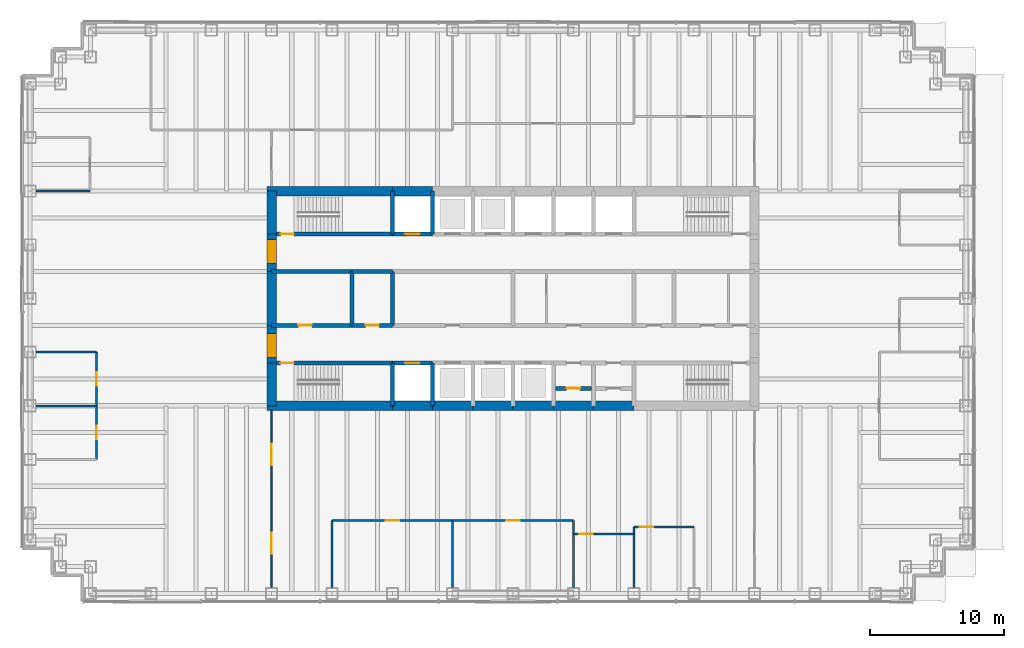
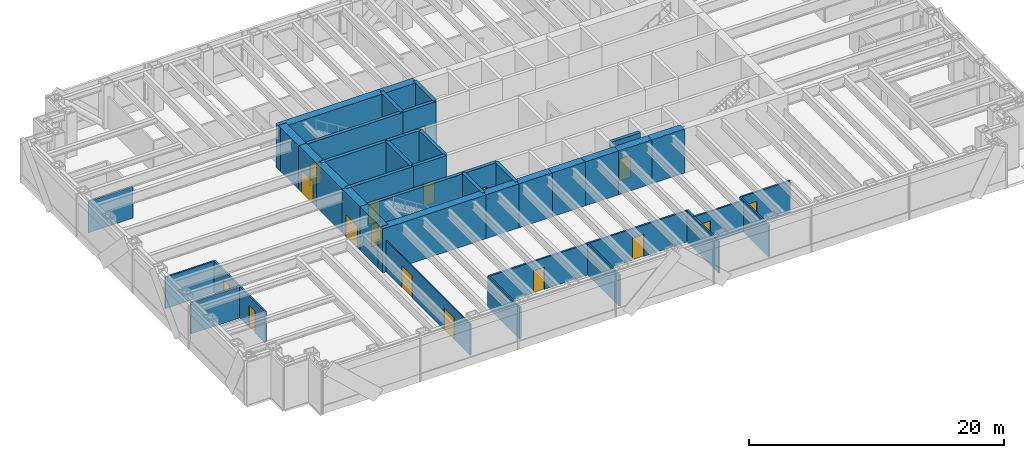
# One storey, part 7 of 12: 41 walls, 17 doors, 17 openings.
"""IFC4 building model written with IfcOpenShell, lengths in metres."""

from ifc_helpers import new_model, si_unit, direction, frame, frame_2d, origin, place, context, subcontext, project, spatial, rectangle, extrude, material, layer, layer_set, type_object, element, fill, save


model = new_model("IFC4")

# Units and contexts
model_context = context("Model", 3, precision=1e-05, world=origin(), true_north=direction((0.0, 1.0)))
body_context = subcontext(model_context, "Body", "Model", "MODEL_VIEW")
ifc_project = project(units=[si_unit("LENGTHUNIT", "METRE"), si_unit("AREAUNIT", "SQUARE_METRE"), si_unit("VOLUMEUNIT", "CUBIC_METRE"), si_unit("PLANEANGLEUNIT", "RADIAN"), si_unit("MASSUNIT", "GRAM", prefix="KILO")], contexts=[model_context])

# Site, building, storey
site_placement = place(None, origin())
site = spatial("IfcSite", under=ifc_project, at=site_placement, CompositionType="ELEMENT")
building_placement = place(site_placement, origin())
building = spatial("IfcBuilding", under=site, at=building_placement, Name="Rheinbord Bourse Tower", CompositionType="ELEMENT")
storey_placement = place(building_placement, frame((0.0, 0.0, 271.10009765625)))
storey = spatial("IfcBuildingStorey", under=building, at=storey_placement, Name="L61", CompositionType="ELEMENT", Elevation=271.10009765625)

# Wall, opening, door
ifc_material_1 = material(Name="Concrete C50/60", Category="concrete")
ifc_layer_1 = layer(ifc_material_1, 0.300048828125)
ifc_layer_set_1 = layer_set([ifc_layer_1], Name="CORE INNER WALL 300")
wall_type_1 = type_object("IfcWallType", Name="CORE INNER WALL 300", PredefinedType="SOLIDWALL", material=ifc_layer_set_1)
wall_1_placement = place(storey_placement, frame((18.0, 19.199951171875, 0.0), z_axis=(0.0, 0.0, 1.0), x_axis=(1.0, 0.0, 0.0)))
wall_1 = element("IfcWall", 1, at=wall_1_placement, inside=storey, type_object=wall_type_1, Name="Core wall A1 L61", PredefinedType="SOLIDWALL", context=body_context, shape_type="SweptSolid", body=[
    extrude(rectangle(XDim=9.0, YDim=0.300048828125, at=frame_2d((4.5, 0.0))), origin(), (0.0, 0.0, 1.0), 4.199951171875),
])
opening_1_placement = place(wall_1_placement, frame((0.64990234375, 0.0, 0.0)))
opening_1 = element("IfcOpeningElement", 2, at=opening_1_placement, cuts=wall_1, Name="Opening 6110", PredefinedType="OPENING", context=body_context, shape_type="SweptSolid", body=[
    extrude(rectangle(XDim=1.0, YDim=2.10009765625, at=frame_2d((0.5, 1.050048828125))), frame((0.0, 0.159912109375, 0.0), z_axis=(0.0, -1.0, 0.0), x_axis=(1.0, 0.0, 0.0)), (0.0, 0.0, 1.0), 0.320068359375),
])
ifc_material_2 = material(Name="Steel door", Category="steel")
door_type_1 = type_object("IfcDoorType", Name="DOOR 1000 EI30", OperationType="SINGLE_SWING_LEFT", PredefinedType="DOOR", material=ifc_material_2)
door_1_placement = place(opening_1_placement, origin())
door_1 = element("IfcDoor", 3, at=door_1_placement, inside=storey, type_object=door_type_1, Name="Stair door ST1 L61", OperationType="SINGLE_SWING_LEFT", OverallHeight=2.10009765625, OverallWidth=1.0, PredefinedType="DOOR", context=body_context, shape_type="SweptSolid", body=[
    extrude(rectangle(XDim=1.0, YDim=2.10009765625, at=frame_2d((0.5, 1.050048828125))), frame((0.0, 0.02490234375, 0.0), z_axis=(0.0, -1.0, 0.0), x_axis=(1.0, 0.0, 0.0)), (0.0, 0.0, 1.0), 0.050048828125),
])
fill(opening_1, door_1)

wall_2_placement = place(storey_placement, frame((27.0, 19.199951171875, 0.0), z_axis=(0.0, 0.0, 1.0), x_axis=(1.0, 0.0, 0.0)))
wall_2 = element("IfcWall", 4, at=wall_2_placement, inside=storey, type_object=wall_type_1, Name="Core wall A2 L61", PredefinedType="SOLIDWALL", context=body_context, shape_type="SweptSolid", body=[
    extrude(rectangle(XDim=3.0, YDim=0.300048828125, at=frame_2d((1.5, 0.0))), origin(), (0.0, 0.0, 1.0), 4.199951171875),
])
opening_2_placement = place(wall_2_placement, frame((0.949951171875, 0.0, 0.0)))
opening_2 = element("IfcOpeningElement", 5, at=opening_2_placement, cuts=wall_2, Name="Opening FL1", PredefinedType="OPENING", context=body_context, shape_type="SweptSolid", body=[
    extrude(rectangle(XDim=1.10009765625, YDim=2.199951171875, at=frame_2d((0.550048828125, 1.10009765625))), frame((0.0, 0.159912109375, 0.0), z_axis=(0.0, -1.0, 0.0), x_axis=(1.0, 0.0, 0.0)), (0.0, 0.0, 1.0), 0.320068359375),
])
ifc_material_3 = material(Name="Steel landing door", Category="steel")
door_type_2 = type_object("IfcDoorType", Name="LIFT LANDING DOOR 1100", OperationType="DOUBLE_DOOR_SLIDING", PredefinedType="USERDEFINED", material=ifc_material_3)
door_2_placement = place(opening_2_placement, origin())
door_2 = element("IfcDoor", 6, at=door_2_placement, inside=storey, type_object=door_type_2, Name="Lift landing door FL1 L61", ObjectType="LIFT LANDING DOOR", OperationType="DOUBLE_DOOR_SLIDING", OverallHeight=2.199951171875, OverallWidth=1.10009765625, PredefinedType="USERDEFINED", context=body_context, shape_type="SweptSolid", body=[
    extrude(rectangle(XDim=1.10009765625, YDim=2.199951171875, at=frame_2d((0.550048828125, 1.10009765625))), frame((0.0, 0.02490234375, 0.0), z_axis=(0.0, -1.0, 0.0), x_axis=(1.0, 0.0, 0.0)), (0.0, 0.0, 1.0), 0.050048828125),
])
fill(opening_2, door_2)

wall_3_placement = place(storey_placement, frame((18.0, 28.800048828125, 0.0), z_axis=(0.0, 0.0, 1.0), x_axis=(1.0, 0.0, 0.0)))
wall_3 = element("IfcWall", 7, at=wall_3_placement, inside=storey, type_object=wall_type_1, Name="Core wall B1 L61", PredefinedType="SOLIDWALL", context=body_context, shape_type="SweptSolid", body=[
    extrude(rectangle(XDim=9.0, YDim=0.300048828125, at=frame_2d((4.5, 0.0))), origin(), (0.0, 0.0, 1.0), 4.199951171875),
])
opening_3_placement = place(wall_3_placement, frame((0.64990234375, 0.0, 0.0)))
opening_3 = element("IfcOpeningElement", 8, at=opening_3_placement, cuts=wall_3, Name="Opening 6120", PredefinedType="OPENING", context=body_context, shape_type="SweptSolid", body=[
    extrude(rectangle(XDim=1.0, YDim=2.10009765625, at=frame_2d((0.5, 1.050048828125))), frame((0.0, 0.159912109375, 0.0), z_axis=(0.0, -1.0, 0.0), x_axis=(1.0, 0.0, 0.0)), (0.0, 0.0, 1.0), 0.320068359375),
])
door_3_placement = place(opening_3_placement, origin())
door_3 = element("IfcDoor", 9, at=door_3_placement, inside=storey, type_object=door_type_1, Name="Stair door ST2 L61", OperationType="SINGLE_SWING_LEFT", OverallHeight=2.10009765625, OverallWidth=1.0, PredefinedType="DOOR", context=body_context, shape_type="SweptSolid", body=[
    extrude(rectangle(XDim=1.0, YDim=2.10009765625, at=frame_2d((0.5, 1.050048828125))), frame((0.0, 0.02490234375, 0.0), z_axis=(0.0, -1.0, 0.0), x_axis=(1.0, 0.0, 0.0)), (0.0, 0.0, 1.0), 0.050048828125),
])
fill(opening_3, door_3)

wall_4_placement = place(storey_placement, frame((27.0, 28.800048828125, 0.0), z_axis=(0.0, 0.0, 1.0), x_axis=(1.0, 0.0, 0.0)))
wall_4 = element("IfcWall", 10, at=wall_4_placement, inside=storey, type_object=wall_type_1, Name="Core wall B2 L61", PredefinedType="SOLIDWALL", context=body_context, shape_type="SweptSolid", body=[
    extrude(rectangle(XDim=3.0, YDim=0.300048828125, at=frame_2d((1.5, 0.0))), origin(), (0.0, 0.0, 1.0), 4.199951171875),
])
opening_4_placement = place(wall_4_placement, frame((0.949951171875, 0.0, 0.0)))
opening_4 = element("IfcOpeningElement", 11, at=opening_4_placement, cuts=wall_4, Name="Opening GL1", PredefinedType="OPENING", context=body_context, shape_type="SweptSolid", body=[
    extrude(rectangle(XDim=1.10009765625, YDim=2.199951171875, at=frame_2d((0.550048828125, 1.10009765625))), frame((0.0, 0.159912109375, 0.0), z_axis=(0.0, -1.0, 0.0), x_axis=(1.0, 0.0, 0.0)), (0.0, 0.0, 1.0), 0.320068359375),
])
door_4_placement = place(opening_4_placement, origin())
door_4 = element("IfcDoor", 12, at=door_4_placement, inside=storey, type_object=door_type_2, Name="Lift landing door GL1 L61", ObjectType="LIFT LANDING DOOR", OperationType="DOUBLE_DOOR_SLIDING", OverallHeight=2.199951171875, OverallWidth=1.10009765625, PredefinedType="USERDEFINED", context=body_context, shape_type="SweptSolid", body=[
    extrude(rectangle(XDim=1.10009765625, YDim=2.199951171875, at=frame_2d((0.550048828125, 1.10009765625))), frame((0.0, 0.02490234375, 0.0), z_axis=(0.0, -1.0, 0.0), x_axis=(1.0, 0.0, 0.0)), (0.0, 0.0, 1.0), 0.050048828125),
])
fill(opening_4, door_4)

wall_5_placement = place(storey_placement, frame((18.0, 22.0, 0.0), z_axis=(0.0, 0.0, 1.0), x_axis=(1.0, 0.0, 0.0)))
wall_5 = element("IfcWall", 13, at=wall_5_placement, inside=storey, type_object=wall_type_1, Name="Core wall C1 L61", PredefinedType="SOLIDWALL", context=body_context, shape_type="SweptSolid", body=[
    extrude(rectangle(XDim=6.0, YDim=0.300048828125, at=frame_2d((3.0, 0.0))), origin(), (0.0, 0.0, 1.0), 4.199951171875),
])
opening_5_placement = place(wall_5_placement, frame((2.0, 0.0, 0.0)))
opening_5 = element("IfcOpeningElement", 14, at=opening_5_placement, cuts=wall_5, Name="Opening 61R1", PredefinedType="OPENING", context=body_context, shape_type="SweptSolid", body=[
    extrude(rectangle(XDim=1.0, YDim=2.10009765625, at=frame_2d((0.5, 1.050048828125))), frame((0.0, 0.159912109375, 0.0), z_axis=(0.0, -1.0, 0.0), x_axis=(1.0, 0.0, 0.0)), (0.0, 0.0, 1.0), 0.320068359375),
])
ifc_material_4 = material(Name="Timber door", Category="wood")
door_type_3 = type_object("IfcDoorType", Name="DOOR 1000 WC", OperationType="SINGLE_SWING_LEFT", PredefinedType="DOOR", material=ifc_material_4)
door_5_placement = place(opening_5_placement, origin())
door_5 = element("IfcDoor", 15, at=door_5_placement, inside=storey, type_object=door_type_3, Name="WC men door L61", OperationType="SINGLE_SWING_LEFT", OverallHeight=2.10009765625, OverallWidth=1.0, PredefinedType="DOOR", context=body_context, shape_type="SweptSolid", body=[
    extrude(rectangle(XDim=1.0, YDim=2.10009765625, at=frame_2d((0.5, 1.050048828125))), frame((0.0, 0.02490234375, 0.0), z_axis=(0.0, -1.0, 0.0), x_axis=(1.0, 0.0, 0.0)), (0.0, 0.0, 1.0), 0.050048828125),
])
fill(opening_5, door_5)

wall_6_placement = place(storey_placement, frame((24.0, 22.0, 0.0), z_axis=(0.0, 0.0, 1.0), x_axis=(1.0, 0.0, 0.0)))
wall_6 = element("IfcWall", 16, at=wall_6_placement, inside=storey, type_object=wall_type_1, Name="Core wall C2 L61", PredefinedType="SOLIDWALL", context=body_context, shape_type="SweptSolid", body=[
    extrude(rectangle(XDim=3.0, YDim=0.300048828125, at=frame_2d((1.5, 0.0))), origin(), (0.0, 0.0, 1.0), 4.199951171875),
])
opening_6_placement = place(wall_6_placement, frame((1.0, 0.0, 0.0)))
opening_6 = element("IfcOpeningElement", 17, at=opening_6_placement, cuts=wall_6, Name="Opening 61R2", PredefinedType="OPENING", context=body_context, shape_type="SweptSolid", body=[
    extrude(rectangle(XDim=1.0, YDim=2.10009765625, at=frame_2d((0.5, 1.050048828125))), frame((0.0, 0.159912109375, 0.0), z_axis=(0.0, -1.0, 0.0), x_axis=(1.0, 0.0, 0.0)), (0.0, 0.0, 1.0), 0.320068359375),
])
door_6_placement = place(opening_6_placement, origin())
door_6 = element("IfcDoor", 18, at=door_6_placement, inside=storey, type_object=door_type_3, Name="Accessible WC door L61", OperationType="SINGLE_SWING_LEFT", OverallHeight=2.10009765625, OverallWidth=1.0, PredefinedType="DOOR", context=body_context, shape_type="SweptSolid", body=[
    extrude(rectangle(XDim=1.0, YDim=2.10009765625, at=frame_2d((0.5, 1.050048828125))), frame((0.0, 0.02490234375, 0.0), z_axis=(0.0, -1.0, 0.0), x_axis=(1.0, 0.0, 0.0)), (0.0, 0.0, 1.0), 0.050048828125),
])
fill(opening_6, door_6)

# Walls
wall_7_placement = place(storey_placement, frame((18.0, 26.0, 0.0), z_axis=(0.0, 0.0, 1.0), x_axis=(1.0, 0.0, 0.0)))
element("IfcWall", 19, at=wall_7_placement, inside=storey, type_object=wall_type_1, Name="Core wall D1 L61", PredefinedType="SOLIDWALL", context=body_context, shape_type="SweptSolid", body=[
    extrude(rectangle(XDim=6.0, YDim=0.300048828125, at=frame_2d((3.0, 0.0))), origin(), (0.0, 0.0, 1.0), 4.199951171875),
])
wall_8_placement = place(storey_placement, frame((24.0, 26.0, 0.0), z_axis=(0.0, 0.0, 1.0), x_axis=(1.0, 0.0, 0.0)))
element("IfcWall", 20, at=wall_8_placement, inside=storey, type_object=wall_type_1, Name="Core wall D2 L61", PredefinedType="SOLIDWALL", context=body_context, shape_type="SweptSolid", body=[
    extrude(rectangle(XDim=3.0, YDim=0.300048828125, at=frame_2d((1.5, 0.0))), origin(), (0.0, 0.0, 1.0), 4.199951171875),
])
for number, where, z_axis, x_axis, name in (
    (21, (27.0, 16.0, 0.0), (0.0, 0.0, 1.0), (0.0, 1.0, 0.0), "Core wall SX27 L61"),
    (22, (27.0, 28.800048828125, 0.0), (0.0, 0.0, 1.0), (0.0, 1.0, 0.0), "Core wall NX27 L61"),
    (23, (30.0, 16.0, 0.0), (0.0, 0.0, 1.0), (0.0, 1.0, 0.0), "Core wall SX30 L61"),
    (24, (30.0, 28.800048828125, 0.0), (0.0, 0.0, 1.0), (0.0, 1.0, 0.0), "Core wall NX30 L61"),
):
    element("IfcWall", number, at=place(storey_placement, frame(where, z_axis=z_axis, x_axis=x_axis)), inside=storey, type_object=wall_type_1, Name=name, PredefinedType="SOLIDWALL", context=body_context, shape_type="SweptSolid", body=[
        extrude(rectangle(XDim=3.199951171875, YDim=0.300048828125, at=frame_2d((1.60009765625, 0.0))), origin(), (0.0, 0.0, 1.0), 4.199951171875),
    ])
for number, where, z_axis, x_axis, name in (
    (25, (24.0, 22.0, 0.0), (0.0, 0.0, 1.0), (0.0, 1.0, 0.0), "Core wall MX24 L61"),
    (26, (27.0, 22.0, 0.0), (0.0, 0.0, 1.0), (0.0, 1.0, 0.0), "Core wall MX27 L61"),
):
    element("IfcWall", number, at=place(storey_placement, frame(where, z_axis=z_axis, x_axis=x_axis)), inside=storey, type_object=wall_type_1, Name=name, PredefinedType="SOLIDWALL", context=body_context, shape_type="SweptSolid", body=[
        extrude(rectangle(XDim=4.0, YDim=0.300048828125, at=frame_2d((2.0, 0.0))), origin(), (0.0, 0.0, 1.0), 4.199951171875),
    ])

# Wall, opening, door
wall_9_placement = place(storey_placement, frame((39.14990234375, 17.300048828125, 0.0), z_axis=(0.0, 0.0, 1.0), x_axis=(1.0, 0.0, 0.0)))
wall_9 = element("IfcWall", 27, at=wall_9_placement, inside=storey, type_object=wall_type_1, Name="Core riser wall L61-6", PredefinedType="SOLIDWALL", context=body_context, shape_type="SweptSolid", body=[
    extrude(rectangle(XDim=2.7001953125, YDim=0.300048828125, at=frame_2d((1.35009765625, 0.0))), origin(), (0.0, 0.0, 1.0), 4.039794921875),
])
opening_7_placement = place(wall_9_placement, frame((0.85009765625, 0.0, 0.0)))
opening_7 = element("IfcOpeningElement", 28, at=opening_7_placement, cuts=wall_9, Name="Opening 61R12", PredefinedType="OPENING", context=body_context, shape_type="SweptSolid", body=[
    extrude(rectangle(XDim=1.0, YDim=2.10009765625, at=frame_2d((0.5, 1.050048828125))), frame((0.0, 0.159912109375, 0.0), z_axis=(0.0, -1.0, 0.0), x_axis=(1.0, 0.0, 0.0)), (0.0, 0.0, 1.0), 0.320068359375),
])
door_7_placement = place(opening_7_placement, origin())
door_7 = element("IfcDoor", 29, at=door_7_placement, inside=storey, type_object=door_type_1, Name="Comms riser door L61", OperationType="SINGLE_SWING_LEFT", OverallHeight=2.10009765625, OverallWidth=1.0, PredefinedType="DOOR", context=body_context, shape_type="SweptSolid", body=[
    extrude(rectangle(XDim=1.0, YDim=2.10009765625, at=frame_2d((0.5, 1.050048828125))), frame((0.0, 0.02490234375, 0.0), z_axis=(0.0, -1.0, 0.0), x_axis=(1.0, 0.0, 0.0)), (0.0, 0.0, 1.0), 0.050048828125),
])
fill(opening_7, door_7)

# Walls
ifc_material_5 = material(Name="Concrete C50/60", Category="concrete")
ifc_layer_2 = layer(ifc_material_5, 0.699951171875)
ifc_layer_set_2 = layer_set([ifc_layer_2], Name="CORE WALL 700")
wall_type_2 = type_object("IfcWallType", Name="CORE WALL 700", PredefinedType="SHEAR", material=ifc_layer_set_2)
wall_10_placement = place(storey_placement, frame((17.64990234375, 16.0, 0.0), z_axis=(0.0, 0.0, 1.0), x_axis=(1.0, 0.0, 0.0)))
element("IfcWall", 30, at=wall_10_placement, inside=storey, type_object=wall_type_2, Name="Core wall S1 L61", PredefinedType="SHEAR", context=body_context, shape_type="SweptSolid", body=[
    extrude(rectangle(XDim=9.35009765625, YDim=0.699951171875, at=frame_2d((4.675048828125, 0.0))), origin(), (0.0, 0.0, 1.0), 4.199951171875),
])
for number, where, z_axis, x_axis, name in (
    (31, (27.0, 16.0, 0.0), (0.0, 0.0, 1.0), (1.0, 0.0, 0.0), "Core wall S2 L61"),
    (32, (30.0, 16.0, 0.0), (0.0, 0.0, 1.0), (1.0, 0.0, 0.0), "Core wall S3 L61"),
    (33, (33.0, 16.0, 0.0), (0.0, 0.0, 1.0), (1.0, 0.0, 0.0), "Core wall S4 L61"),
    (34, (36.0, 16.0, 0.0), (0.0, 0.0, 1.0), (1.0, 0.0, 0.0), "Core wall S5 L61"),
    (35, (39.0, 16.0, 0.0), (0.0, 0.0, 1.0), (1.0, 0.0, 0.0), "Core wall S6 L61"),
    (36, (42.0, 16.0, 0.0), (0.0, 0.0, 1.0), (1.0, 0.0, 0.0), "Core wall S7 L61"),
    (37, (30.0, 32.0, 0.0), (0.0, 0.0, 1.0), (-1.0, 0.0, 0.0), "Core wall N7 L61"),
):
    element("IfcWall", number, at=place(storey_placement, frame(where, z_axis=z_axis, x_axis=x_axis)), inside=storey, type_object=wall_type_2, Name=name, PredefinedType="SHEAR", context=body_context, shape_type="SweptSolid", body=[
        extrude(rectangle(XDim=3.0, YDim=0.699951171875, at=frame_2d((1.5, 0.0))), origin(), (0.0, 0.0, 1.0), 4.199951171875),
    ])
wall_11_placement = place(storey_placement, frame((27.0, 32.0, 0.0), z_axis=(0.0, 0.0, 1.0), x_axis=(-1.0, 0.0, 0.0)))
element("IfcWall", 38, at=wall_11_placement, inside=storey, type_object=wall_type_2, Name="Core wall N8 L61", PredefinedType="SHEAR", context=body_context, shape_type="SweptSolid", body=[
    extrude(rectangle(XDim=9.35009765625, YDim=0.699951171875, at=frame_2d((4.675048828125, 0.0))), origin(), (0.0, 0.0, 1.0), 4.199951171875),
])
wall_12_placement = place(storey_placement, frame((18.0, 32.0, 0.0), z_axis=(0.0, 0.0, 1.0), x_axis=(0.0, -1.0, 0.0)))
element("IfcWall", 39, at=wall_12_placement, inside=storey, type_object=wall_type_2, Name="Core wall W1 L61", PredefinedType="SHEAR", context=body_context, shape_type="SweptSolid", body=[
    extrude(rectangle(XDim=3.199951171875, YDim=0.699951171875, at=frame_2d((1.60009765625, 0.0))), origin(), (0.0, 0.0, 1.0), 4.199951171875),
])

# Wall, opening, door
wall_13_placement = place(storey_placement, frame((18.0, 28.800048828125, 0.0), z_axis=(0.0, 0.0, 1.0), x_axis=(0.0, -1.0, 0.0)))
wall_13 = element("IfcWall", 40, at=wall_13_placement, inside=storey, type_object=wall_type_2, Name="Core wall W2 L61", PredefinedType="SHEAR", context=body_context, shape_type="SweptSolid", body=[
    extrude(rectangle(XDim=2.800048828125, YDim=0.699951171875, at=frame_2d((1.39990234375, 0.0))), origin(), (0.0, 0.0, 1.0), 4.199951171875),
])
opening_8_placement = place(wall_13_placement, frame((0.39990234375, 0.0, 0.0)))
opening_8 = element("IfcOpeningElement", 41, at=opening_8_placement, cuts=wall_13, Name="Opening 61L2", PredefinedType="OPENING", context=body_context, shape_type="SweptSolid", body=[
    extrude(rectangle(XDim=1.800048828125, YDim=2.10009765625, at=frame_2d((0.89990234375, 1.050048828125))), frame((0.0, 0.35986328125, 0.0), z_axis=(0.0, -1.0, 0.0), x_axis=(1.0, 0.0, 0.0)), (0.0, 0.0, 1.0), 0.719970703125),
])
ifc_material_6 = material(Name="Steel door", Category="steel")
door_type_4 = type_object("IfcDoorType", Name="DOOR 1800 EI30 DOUBLE", OperationType="DOUBLE_DOOR_DOUBLE_SWING", PredefinedType="DOOR", material=ifc_material_6)
door_8_placement = place(opening_8_placement, origin())
door_8 = element("IfcDoor", 42, at=door_8_placement, inside=storey, type_object=door_type_4, Name="Lobby door 2 L61", OperationType="SINGLE_SWING_LEFT", OverallHeight=2.10009765625, OverallWidth=1.800048828125, PredefinedType="DOOR", context=body_context, shape_type="SweptSolid", body=[
    extrude(rectangle(XDim=1.800048828125, YDim=2.10009765625, at=frame_2d((0.89990234375, 1.050048828125))), frame((0.0, 0.349609375, 0.0), z_axis=(0.0, -1.0, 0.0), x_axis=(1.0, 0.0, 0.0)), (0.0, 0.0, 1.0), 0.699462890625),
])
fill(opening_8, door_8)

# Wall
wall_14_placement = place(storey_placement, frame((18.0, 26.0, 0.0), z_axis=(0.0, 0.0, 1.0), x_axis=(0.0, -1.0, 0.0)))
element("IfcWall", 43, at=wall_14_placement, inside=storey, type_object=wall_type_2, Name="Core wall W3 L61", PredefinedType="SHEAR", context=body_context, shape_type="SweptSolid", body=[
    extrude(rectangle(XDim=4.0, YDim=0.699951171875, at=frame_2d((2.0, 0.0))), origin(), (0.0, 0.0, 1.0), 4.199951171875),
])

# Wall, opening, door
wall_15_placement = place(storey_placement, frame((18.0, 22.0, 0.0), z_axis=(0.0, 0.0, 1.0), x_axis=(0.0, -1.0, 0.0)))
wall_15 = element("IfcWall", 44, at=wall_15_placement, inside=storey, type_object=wall_type_2, Name="Core wall W4 L61", PredefinedType="SHEAR", context=body_context, shape_type="SweptSolid", body=[
    extrude(rectangle(XDim=2.800048828125, YDim=0.699951171875, at=frame_2d((1.39990234375, 0.0))), origin(), (0.0, 0.0, 1.0), 4.199951171875),
])
opening_9_placement = place(wall_15_placement, frame((0.60009765625, 0.0, 0.0)))
opening_9 = element("IfcOpeningElement", 45, at=opening_9_placement, cuts=wall_15, Name="Opening 61L1", PredefinedType="OPENING", context=body_context, shape_type="SweptSolid", body=[
    extrude(rectangle(XDim=1.800048828125, YDim=2.10009765625, at=frame_2d((0.89990234375, 1.050048828125))), frame((0.0, 0.35986328125, 0.0), z_axis=(0.0, -1.0, 0.0), x_axis=(1.0, 0.0, 0.0)), (0.0, 0.0, 1.0), 0.719970703125),
])
door_9_placement = place(opening_9_placement, origin())
door_9 = element("IfcDoor", 46, at=door_9_placement, inside=storey, type_object=door_type_4, Name="Lobby door 1 L61", OperationType="SINGLE_SWING_LEFT", OverallHeight=2.10009765625, OverallWidth=1.800048828125, PredefinedType="DOOR", context=body_context, shape_type="SweptSolid", body=[
    extrude(rectangle(XDim=1.800048828125, YDim=2.10009765625, at=frame_2d((0.89990234375, 1.050048828125))), frame((0.0, 0.349609375, 0.0), z_axis=(0.0, -1.0, 0.0), x_axis=(1.0, 0.0, 0.0)), (0.0, 0.0, 1.0), 0.699462890625),
])
fill(opening_9, door_9)

# Wall
wall_16_placement = place(storey_placement, frame((18.0, 19.199951171875, 0.0), z_axis=(0.0, 0.0, 1.0), x_axis=(0.0, -1.0, 0.0)))
element("IfcWall", 47, at=wall_16_placement, inside=storey, type_object=wall_type_2, Name="Core wall W5 L61", PredefinedType="SHEAR", context=body_context, shape_type="SweptSolid", body=[
    extrude(rectangle(XDim=3.199951171875, YDim=0.699951171875, at=frame_2d((1.60009765625, 0.0))), origin(), (0.0, 0.0, 1.0), 4.199951171875),
])

# Wall, openings, doors
ifc_material_7 = material(Name="Toughened laminated glass partition", Category="glass")
ifc_layer_3 = layer(ifc_material_7, 0.10009765625)
ifc_layer_set_3 = layer_set([ifc_layer_3], Name="GLAZED PARTITION 100")
wall_type_3 = type_object("IfcWallType", Name="GLAZED PARTITION 100", PredefinedType="PARTITIONING", material=ifc_layer_set_3)
wall_17_placement = place(storey_placement, frame((18.0, 2.449951171875, 0.0), z_axis=(0.0, 0.0, 1.0), x_axis=(0.0, 1.0, 0.0)))
wall_17 = element("IfcWall", 48, at=wall_17_placement, inside=storey, type_object=wall_type_3, Name="Partition L61-21", PredefinedType="PARTITIONING", context=body_context, shape_type="SweptSolid", body=[
    extrude(rectangle(XDim=13.199951171875, YDim=0.10009765625, at=frame_2d((6.60009765625, 0.0))), origin(), (0.0, 0.0, 1.0), 3.0),
])
opening_10_placement = place(wall_17_placement, frame((2.5, 0.0, 0.0)))
opening_10 = element("IfcOpeningElement", 49, at=opening_10_placement, cuts=wall_17, Name="Opening 61D14", PredefinedType="OPENING", context=body_context, shape_type="SweptSolid", body=[
    extrude(rectangle(XDim=1.60009765625, YDim=2.10009765625, at=frame_2d((0.800048828125, 1.050048828125))), frame((0.0, 0.06005859375, 0.0), z_axis=(0.0, -1.0, 0.0), x_axis=(1.0, 0.0, 0.0)), (0.0, 0.0, 1.0), 0.1201171875),
])
opening_11_placement = place(wall_17_placement, frame((9.10009765625, 0.0, 0.0)))
opening_11 = element("IfcOpeningElement", 50, at=opening_11_placement, cuts=wall_17, Name="Opening 61D15", PredefinedType="OPENING", context=body_context, shape_type="SweptSolid", body=[
    extrude(rectangle(XDim=1.60009765625, YDim=2.10009765625, at=frame_2d((0.800048828125, 1.050048828125))), frame((0.0, 0.06005859375, 0.0), z_axis=(0.0, -1.0, 0.0), x_axis=(1.0, 0.0, 0.0)), (0.0, 0.0, 1.0), 0.1201171875),
])
ifc_material_8 = material(Name="Timber door", Category="wood")
door_type_5 = type_object("IfcDoorType", Name="DOUBLE ROOM DOOR 1600", OperationType="DOUBLE_DOOR_DOUBLE_SWING", PredefinedType="DOOR", material=ifc_material_8)
door_10_placement = place(opening_10_placement, origin())
door_10 = element("IfcDoor", 51, at=door_10_placement, inside=storey, type_object=door_type_5, Name="Open area door L61", OperationType="SINGLE_SWING_LEFT", OverallHeight=2.10009765625, OverallWidth=1.60009765625, PredefinedType="DOOR", context=body_context, shape_type="SweptSolid", body=[
    extrude(rectangle(XDim=1.60009765625, YDim=2.10009765625, at=frame_2d((0.800048828125, 1.050048828125))), frame((0.0, 0.02490234375, 0.0), z_axis=(0.0, -1.0, 0.0), x_axis=(1.0, 0.0, 0.0)), (0.0, 0.0, 1.0), 0.050048828125),
])
fill(opening_10, door_10)
door_11_placement = place(opening_11_placement, origin())
door_11 = element("IfcDoor", 52, at=door_11_placement, inside=storey, type_object=door_type_5, Name="Open area door L61", OperationType="SINGLE_SWING_LEFT", OverallHeight=2.10009765625, OverallWidth=1.60009765625, PredefinedType="DOOR", context=body_context, shape_type="SweptSolid", body=[
    extrude(rectangle(XDim=1.60009765625, YDim=2.10009765625, at=frame_2d((0.800048828125, 1.050048828125))), frame((0.0, 0.02490234375, 0.0), z_axis=(0.0, -1.0, 0.0), x_axis=(1.0, 0.0, 0.0)), (0.0, 0.0, 1.0), 0.050048828125),
])
fill(opening_11, door_11)

# Wall, opening, door
ifc_material_9 = material(Name="Gypsum board partition", Category="gypsum board")
ifc_layer_4 = layer(ifc_material_9, 0.14990234375)
ifc_layer_set_4 = layer_set([ifc_layer_4], Name="PARTITION 150")
wall_type_4 = type_object("IfcWallType", Name="PARTITION 150", PredefinedType="PARTITIONING", material=ifc_layer_set_4)
wall_18_placement = place(storey_placement, frame((40.5, 6.449951171875, 0.0), z_axis=(0.0, 0.0, 1.0), x_axis=(1.0, 0.0, 0.0)))
wall_18 = element("IfcWall", 53, at=wall_18_placement, inside=storey, type_object=wall_type_4, Name="Partition L61-01", PredefinedType="PARTITIONING", context=body_context, shape_type="SweptSolid", body=[
    extrude(rectangle(XDim=4.5, YDim=0.14990234375, at=frame_2d((2.25, 0.0))), origin(), (0.0, 0.0, 1.0), 3.0),
])
opening_12_placement = place(wall_18_placement, frame((0.449951171875, 0.0, 0.0)))
opening_12 = element("IfcOpeningElement", 54, at=opening_12_placement, cuts=wall_18, Name="Opening 61D01", PredefinedType="OPENING", context=body_context, shape_type="SweptSolid", body=[
    extrude(rectangle(XDim=1.0, YDim=2.10009765625, at=frame_2d((0.5, 1.050048828125))), frame((0.0, 0.0849609375, 0.0), z_axis=(0.0, -1.0, 0.0), x_axis=(1.0, 0.0, 0.0)), (0.0, 0.0, 1.0), 0.169921875),
])
ifc_material_10 = material(Name="Timber door", Category="wood")
door_type_6 = type_object("IfcDoorType", Name="ROOM DOOR 1000", OperationType="SINGLE_SWING_LEFT", PredefinedType="DOOR", material=ifc_material_10)
door_12_placement = place(opening_12_placement, origin())
door_12 = element("IfcDoor", 55, at=door_12_placement, inside=storey, type_object=door_type_6, Name="Shower room door L61", OperationType="SINGLE_SWING_LEFT", OverallHeight=2.10009765625, OverallWidth=1.0, PredefinedType="DOOR", context=body_context, shape_type="SweptSolid", body=[
    extrude(rectangle(XDim=1.0, YDim=2.10009765625, at=frame_2d((0.5, 1.050048828125))), frame((0.0, 0.02490234375, 0.0), z_axis=(0.0, -1.0, 0.0), x_axis=(1.0, 0.0, 0.0)), (0.0, 0.0, 1.0), 0.050048828125),
])
fill(opening_12, door_12)

wall_19_placement = place(storey_placement, frame((45.0, 6.949951171875, 0.0), z_axis=(0.0, 0.0, 1.0), x_axis=(1.0, 0.0, 0.0)))
wall_19 = element("IfcWall", 56, at=wall_19_placement, inside=storey, type_object=wall_type_4, Name="Partition L61-02", PredefinedType="PARTITIONING", context=body_context, shape_type="SweptSolid", body=[
    extrude(rectangle(XDim=4.5, YDim=0.14990234375, at=frame_2d((2.25, 0.0))), origin(), (0.0, 0.0, 1.0), 3.0),
])
opening_13_placement = place(wall_19_placement, frame((0.449951171875, 0.0, 0.0)))
opening_13 = element("IfcOpeningElement", 57, at=opening_13_placement, cuts=wall_19, Name="Opening 61D02", PredefinedType="OPENING", context=body_context, shape_type="SweptSolid", body=[
    extrude(rectangle(XDim=1.0, YDim=2.10009765625, at=frame_2d((0.5, 1.050048828125))), frame((0.0, 0.0849609375, 0.0), z_axis=(0.0, -1.0, 0.0), x_axis=(1.0, 0.0, 0.0)), (0.0, 0.0, 1.0), 0.169921875),
])
door_13_placement = place(opening_13_placement, origin())
door_13 = element("IfcDoor", 58, at=door_13_placement, inside=storey, type_object=door_type_6, Name="Sauna door L61", OperationType="SINGLE_SWING_LEFT", OverallHeight=2.10009765625, OverallWidth=1.0, PredefinedType="DOOR", context=body_context, shape_type="SweptSolid", body=[
    extrude(rectangle(XDim=1.0, YDim=2.10009765625, at=frame_2d((0.5, 1.050048828125))), frame((0.0, 0.02490234375, 0.0), z_axis=(0.0, -1.0, 0.0), x_axis=(1.0, 0.0, 0.0)), (0.0, 0.0, 1.0), 0.050048828125),
])
fill(opening_13, door_13)

# Wall, openings, doors
wall_20_placement = place(storey_placement, frame((22.5, 7.449951171875, 0.0), z_axis=(0.0, 0.0, 1.0), x_axis=(1.0, 0.0, 0.0)))
wall_20 = element("IfcWall", 59, at=wall_20_placement, inside=storey, type_object=wall_type_4, Name="Partition L61-03", PredefinedType="PARTITIONING", context=body_context, shape_type="SweptSolid", body=[
    extrude(rectangle(XDim=18.0, YDim=0.14990234375, at=frame_2d((9.0, 0.0))), origin(), (0.0, 0.0, 1.0), 3.0),
])
opening_14_placement = place(wall_20_placement, frame((4.0, 0.0, 0.0)))
opening_14 = element("IfcOpeningElement", 60, at=opening_14_placement, cuts=wall_20, Name="Opening 61D03", PredefinedType="OPENING", context=body_context, shape_type="SweptSolid", body=[
    extrude(rectangle(XDim=1.0, YDim=2.10009765625, at=frame_2d((0.5, 1.050048828125))), frame((0.0, 0.0849609375, 0.0), z_axis=(0.0, -1.0, 0.0), x_axis=(1.0, 0.0, 0.0)), (0.0, 0.0, 1.0), 0.169921875),
])
opening_15_placement = place(wall_20_placement, frame((13.0, 0.0, 0.0)))
opening_15 = element("IfcOpeningElement", 61, at=opening_15_placement, cuts=wall_20, Name="Opening 61D04", PredefinedType="OPENING", context=body_context, shape_type="SweptSolid", body=[
    extrude(rectangle(XDim=1.0, YDim=2.10009765625, at=frame_2d((0.5, 1.050048828125))), frame((0.0, 0.0849609375, 0.0), z_axis=(0.0, -1.0, 0.0), x_axis=(1.0, 0.0, 0.0)), (0.0, 0.0, 1.0), 0.169921875),
])
door_14_placement = place(opening_14_placement, origin())
door_14 = element("IfcDoor", 62, at=door_14_placement, inside=storey, type_object=door_type_6, Name="Changing room men door L61", OperationType="SINGLE_SWING_LEFT", OverallHeight=2.10009765625, OverallWidth=1.0, PredefinedType="DOOR", context=body_context, shape_type="SweptSolid", body=[
    extrude(rectangle(XDim=1.0, YDim=2.10009765625, at=frame_2d((0.5, 1.050048828125))), frame((0.0, 0.02490234375, 0.0), z_axis=(0.0, -1.0, 0.0), x_axis=(1.0, 0.0, 0.0)), (0.0, 0.0, 1.0), 0.050048828125),
])
fill(opening_14, door_14)
door_15_placement = place(opening_15_placement, origin())
door_15 = element("IfcDoor", 63, at=door_15_placement, inside=storey, type_object=door_type_6, Name="Changing room women door L61", OperationType="SINGLE_SWING_RIGHT", OverallHeight=2.10009765625, OverallWidth=1.0, PredefinedType="DOOR", context=body_context, shape_type="SweptSolid", body=[
    extrude(rectangle(XDim=1.0, YDim=2.10009765625, at=frame_2d((0.5, 1.050048828125))), frame((0.0, 0.02490234375, 0.0), z_axis=(0.0, -1.0, 0.0), x_axis=(1.0, 0.0, 0.0)), (0.0, 0.0, 1.0), 0.050048828125),
])
fill(opening_15, door_15)

# Walls
for number, where, z_axis, x_axis, name in (
    (64, (0.449951171875, 16.0, 0.0), (0.0, 0.0, 1.0), (1.0, 0.0, 0.0), "Partition L61-06"),
    (65, (0.449951171875, 20.0, 0.0), (0.0, 0.0, 1.0), (1.0, 0.0, 0.0), "Partition L61-07"),
):
    element("IfcWall", number, at=place(storey_placement, frame(where, z_axis=z_axis, x_axis=x_axis)), inside=storey, type_object=wall_type_4, Name=name, PredefinedType="PARTITIONING", context=body_context, shape_type="SweptSolid", body=[
        extrude(rectangle(XDim=4.5, YDim=0.14990234375, at=frame_2d((2.25, 0.0))), origin(), (0.0, 0.0, 1.0), 3.0),
    ])
wall_21_placement = place(storey_placement, frame((0.449951171875, 32.0, 0.0), z_axis=(0.0, 0.0, 1.0), x_axis=(1.0, 0.0, 0.0)))
element("IfcWall", 66, at=wall_21_placement, inside=storey, type_object=wall_type_4, Name="Partition L61-12", PredefinedType="PARTITIONING", context=body_context, shape_type="SweptSolid", body=[
    extrude(rectangle(XDim=4.0, YDim=0.14990234375, at=frame_2d((2.0, 0.0))), origin(), (0.0, 0.0, 1.0), 3.0),
])

# Wall, openings, doors
wall_22_placement = place(storey_placement, frame((4.949951171875, 12.0, 0.0), z_axis=(0.0, 0.0, 1.0), x_axis=(0.0, 1.0, 0.0)))
wall_22 = element("IfcWall", 67, at=wall_22_placement, inside=storey, type_object=wall_type_4, Name="Partition L61-19", PredefinedType="PARTITIONING", context=body_context, shape_type="SweptSolid", body=[
    extrude(rectangle(XDim=8.0, YDim=0.14990234375, at=frame_2d((4.0, 0.0))), origin(), (0.0, 0.0, 1.0), 3.0),
])
opening_16_placement = place(wall_22_placement, frame((1.5, 0.0, 0.0)))
opening_16 = element("IfcOpeningElement", 68, at=opening_16_placement, cuts=wall_22, Name="Opening 61D05", PredefinedType="OPENING", context=body_context, shape_type="SweptSolid", body=[
    extrude(rectangle(XDim=1.0, YDim=2.10009765625, at=frame_2d((0.5, 1.050048828125))), frame((0.0, 0.0849609375, 0.0), z_axis=(0.0, -1.0, 0.0), x_axis=(1.0, 0.0, 0.0)), (0.0, 0.0, 1.0), 0.169921875),
])
opening_17_placement = place(wall_22_placement, frame((5.5, 0.0, 0.0)))
opening_17 = element("IfcOpeningElement", 69, at=opening_17_placement, cuts=wall_22, Name="Opening 61D07", PredefinedType="OPENING", context=body_context, shape_type="SweptSolid", body=[
    extrude(rectangle(XDim=1.0, YDim=2.10009765625, at=frame_2d((0.5, 1.050048828125))), frame((0.0, 0.0849609375, 0.0), z_axis=(0.0, -1.0, 0.0), x_axis=(1.0, 0.0, 0.0)), (0.0, 0.0, 1.0), 0.169921875),
])
door_16_placement = place(opening_16_placement, origin())
door_16 = element("IfcDoor", 70, at=door_16_placement, inside=storey, type_object=door_type_6, Name="Physiotherapy room door L61", OperationType="SINGLE_SWING_LEFT", OverallHeight=2.10009765625, OverallWidth=1.0, PredefinedType="DOOR", context=body_context, shape_type="SweptSolid", body=[
    extrude(rectangle(XDim=1.0, YDim=2.10009765625, at=frame_2d((0.5, 1.050048828125))), frame((0.0, 0.02490234375, 0.0), z_axis=(0.0, -1.0, 0.0), x_axis=(1.0, 0.0, 0.0)), (0.0, 0.0, 1.0), 0.050048828125),
])
fill(opening_16, door_16)
door_17_placement = place(opening_17_placement, origin())
door_17 = element("IfcDoor", 71, at=door_17_placement, inside=storey, type_object=door_type_6, Name="Massage room door L61", OperationType="SINGLE_SWING_RIGHT", OverallHeight=2.10009765625, OverallWidth=1.0, PredefinedType="DOOR", context=body_context, shape_type="SweptSolid", body=[
    extrude(rectangle(XDim=1.0, YDim=2.10009765625, at=frame_2d((0.5, 1.050048828125))), frame((0.0, 0.02490234375, 0.0), z_axis=(0.0, -1.0, 0.0), x_axis=(1.0, 0.0, 0.0)), (0.0, 0.0, 1.0), 0.050048828125),
])
fill(opening_17, door_17)

# Walls
for number, where, z_axis, x_axis, name in (
    (72, (22.5, 2.449951171875, 0.0), (0.0, 0.0, 1.0), (0.0, 1.0, 0.0), "Partition L61-23"),
    (73, (31.5, 2.449951171875, 0.0), (0.0, 0.0, 1.0), (0.0, 1.0, 0.0), "Partition L61-24"),
    (74, (40.5, 2.449951171875, 0.0), (0.0, 0.0, 1.0), (0.0, 1.0, 0.0), "Partition L61-26"),
):
    element("IfcWall", number, at=place(storey_placement, frame(where, z_axis=z_axis, x_axis=x_axis)), inside=storey, type_object=wall_type_4, Name=name, PredefinedType="PARTITIONING", context=body_context, shape_type="SweptSolid", body=[
        extrude(rectangle(XDim=5.0, YDim=0.14990234375, at=frame_2d((2.5, 0.0))), origin(), (0.0, 0.0, 1.0), 3.0),
    ])
wall_23_placement = place(storey_placement, frame((45.0, 2.449951171875, 0.0), z_axis=(0.0, 0.0, 1.0), x_axis=(0.0, 1.0, 0.0)))
element("IfcWall", 75, at=wall_23_placement, inside=storey, type_object=wall_type_4, Name="Partition L61-27", PredefinedType="PARTITIONING", context=body_context, shape_type="SweptSolid", body=[
    extrude(rectangle(XDim=4.5, YDim=0.14990234375, at=frame_2d((2.25, 0.0))), origin(), (0.0, 0.0, 1.0), 3.0),
])

save(model, "model.ifc")
